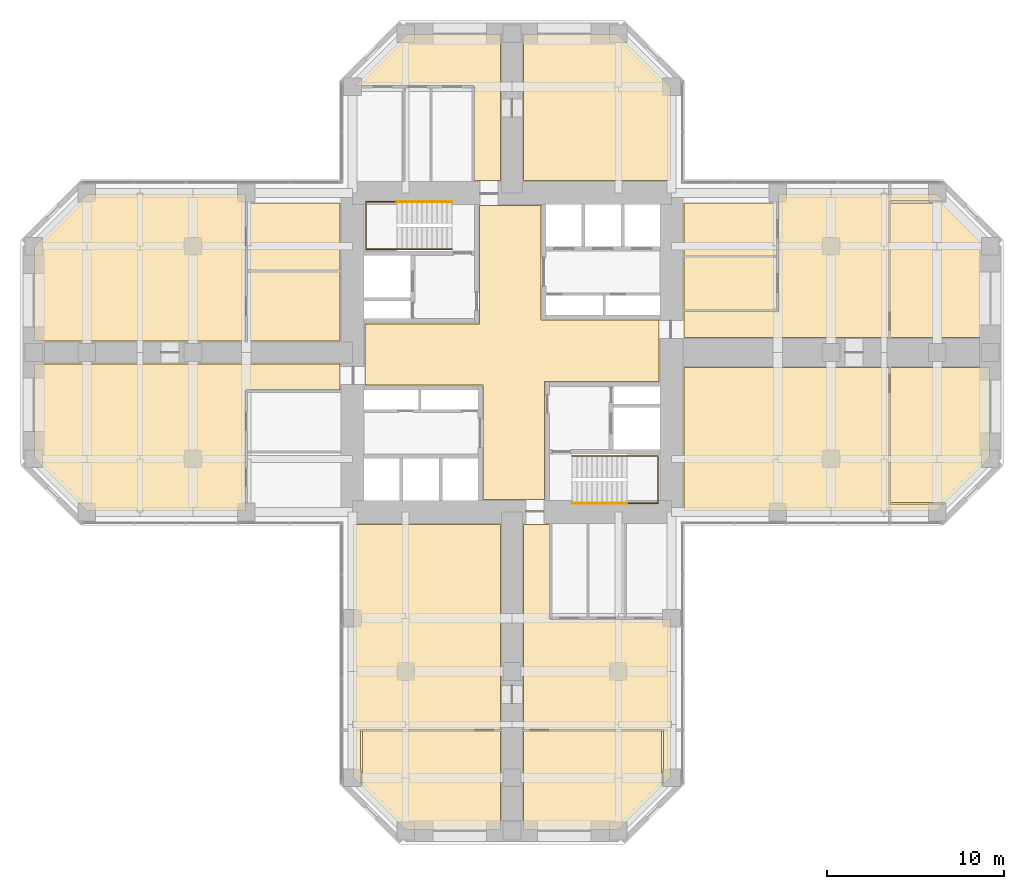
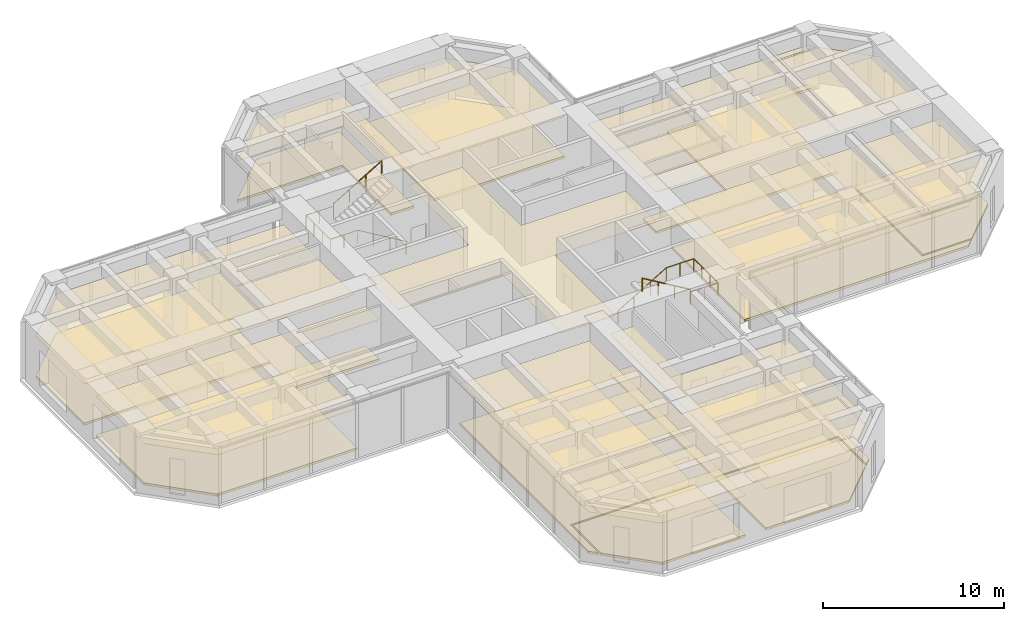
# One storey, part 12 of 12: 28 coverings, 4 railings.
"""IFC4 building model written with IfcOpenShell, lengths in metres."""

from ifc_helpers import new_model, si_unit, direction, frame, origin, origin_2d, place, context, subcontext, project, spatial, polyline, circle, outline, extrude, material, layer, layer_set, constituent, constituent_set, type_object, element, save


model = new_model("IFC4")

# Units and contexts
model_context = context("Model", 3, precision=1e-05, world=origin(), true_north=direction((0.0, 1.0)))
body_context = subcontext(model_context, "Body", "Model", "MODEL_VIEW")
ifc_project = project(units=[si_unit("LENGTHUNIT", "METRE"), si_unit("AREAUNIT", "SQUARE_METRE"), si_unit("VOLUMEUNIT", "CUBIC_METRE"), si_unit("PLANEANGLEUNIT", "RADIAN"), si_unit("MASSUNIT", "GRAM", prefix="KILO")], contexts=[model_context])

# Site, building, storey
site_placement = place(None, origin())
site = spatial("IfcSite", under=ifc_project, at=site_placement, CompositionType="ELEMENT")
building_placement = place(site_placement, origin())
building = spatial("IfcBuilding", under=site, at=building_placement, Name="Torre Cruceta", CompositionType="ELEMENT")
storey_placement = place(building_placement, frame((0.0, 0.0, 144.5)))
storey = spatial("IfcBuildingStorey", under=building, at=storey_placement, Name="L35", CompositionType="ELEMENT", Elevation=144.5)

# Railings
ifc_material_1 = material(Name="Stainless steel 1.4401", Category="steel")
railing_type = type_object("IfcRailingType", Name="HANDRAIL 900", PredefinedType="HANDRAIL", material=ifc_material_1)
railing_1_placement = place(storey_placement, frame((-3.39990234375, 5.8349609375, 0.166748046875)))
element("IfcRailing", 1, at=railing_1_placement, inside=storey, type_object=railing_type, Name="Handrail HR1 ST1 L35", PredefinedType="HANDRAIL", context=body_context, shape_type="SweptSolid", body=[
    extrude(circle(Radius=0.02392578125, at=origin_2d()), frame((0.0, 0.0, 0.8759765625), z_axis=(-0.859308565015, 0.0, 0.511457515432), x_axis=(0.0, -1.0, 0.0)), (0.0, 0.0, 1.0), 3.58447265625),
    extrude(circle(Radius=0.02392578125, at=origin_2d()), frame((-3.080078125, 0.0, 2.708984375), z_axis=(-1.0, 0.0, 0.0), x_axis=(0.0, -1.0, 0.0)), (0.0, 0.0, 1.0), 1.760009765625),
    extrude(circle(Radius=0.02392578125, at=origin_2d()), frame((-4.840087890625, 0.0, 2.708984375), z_axis=(0.0, 1.0, 0.0), x_axis=(-1.0, 0.0, 0.0)), (0.0, 0.0, 1.0), 2.679931640625),
    extrude(circle(Radius=0.02392578125, at=origin_2d()), frame((-4.840087890625, 2.679931640625, 2.708984375), z_axis=(1.0, 0.0, 0.0), x_axis=(0.0, 1.0, 0.0)), (0.0, 0.0, 1.0), 1.760009765625),
    extrude(circle(Radius=0.02099609375, at=origin_2d()), origin(), (0.0, 0.0, 1.0), 0.851806640625),
    extrude(circle(Radius=0.02099609375, at=origin_2d()), frame((-1.026611328125, 0.0, 0.611083984375)), (0.0, 0.0, 1.0), 0.851806640625),
    extrude(circle(Radius=0.02099609375, at=origin_2d()), frame((-2.053466796875, 0.0, 1.22216796875)), (0.0, 0.0, 1.0), 0.851806640625),
    extrude(circle(Radius=0.02099609375, at=origin_2d()), frame((-3.080078125, 0.0, 1.833251953125)), (0.0, 0.0, 1.0), 0.851806640625),
    extrude(circle(Radius=0.02099609375, at=origin_2d()), frame((-3.9599609375, 0.0, 1.833251953125)), (0.0, 0.0, 1.0), 0.851806640625),
    extrude(circle(Radius=0.02099609375, at=origin_2d()), frame((-4.840087890625, 0.0, 1.833251953125)), (0.0, 0.0, 1.0), 0.851806640625),
    extrude(circle(Radius=0.02099609375, at=origin_2d()), frame((-4.840087890625, 0.893310546875, 1.833251953125)), (0.0, 0.0, 1.0), 0.851806640625),
    extrude(circle(Radius=0.02099609375, at=origin_2d()), frame((-4.840087890625, 1.78662109375, 1.833251953125)), (0.0, 0.0, 1.0), 0.851806640625),
    extrude(circle(Radius=0.02099609375, at=origin_2d()), frame((-4.840087890625, 2.679931640625, 1.833251953125)), (0.0, 0.0, 1.0), 0.851806640625),
    extrude(circle(Radius=0.02099609375, at=origin_2d()), frame((-3.9599609375, 2.679931640625, 1.833251953125)), (0.0, 0.0, 1.0), 0.851806640625),
    extrude(circle(Radius=0.02099609375, at=origin_2d()), frame((-3.080078125, 2.679931640625, 1.833251953125)), (0.0, 0.0, 1.0), 0.851806640625),
])
railing_2_placement = place(storey_placement, frame((-6.47998046875, 8.514892578125, 2.166748046875)))
element("IfcRailing", 2, at=railing_2_placement, inside=storey, type_object=railing_type, Name="Handrail HR1 ST1 L35", PredefinedType="HANDRAIL", context=body_context, shape_type="SweptSolid", body=[
    extrude(circle(Radius=0.02392578125, at=origin_2d()), frame((0.0, 0.0, 0.8759765625), z_axis=(0.859308565015, 0.0, 0.511457515432), x_axis=(0.0, 1.0, 0.0)), (0.0, 0.0, 1.0), 3.58447265625),
    extrude(circle(Radius=0.02099609375, at=origin_2d()), origin(), (0.0, 0.0, 1.0), 0.851806640625),
    extrude(circle(Radius=0.02099609375, at=origin_2d()), frame((1.026611328125, 0.0, 0.611083984375)), (0.0, 0.0, 1.0), 0.851806640625),
    extrude(circle(Radius=0.02099609375, at=origin_2d()), frame((2.053466796875, 0.0, 1.22216796875)), (0.0, 0.0, 1.0), 0.851806640625),
    extrude(circle(Radius=0.02099609375, at=origin_2d()), frame((3.080078125, 0.0, 1.833251953125)), (0.0, 0.0, 1.0), 0.851806640625),
])
railing_3_placement = place(storey_placement, frame((3.39990234375, -5.8349609375, 0.166748046875)))
element("IfcRailing", 3, at=railing_3_placement, inside=storey, type_object=railing_type, Name="Handrail HR1 ST2 L35", PredefinedType="HANDRAIL", context=body_context, shape_type="SweptSolid", body=[
    extrude(circle(Radius=0.02392578125, at=origin_2d()), frame((0.0, 0.0, 0.8759765625), z_axis=(0.859308565015, 0.0, 0.511457515432), x_axis=(0.0, 1.0, 0.0)), (0.0, 0.0, 1.0), 3.58447265625),
    extrude(circle(Radius=0.02392578125, at=origin_2d()), frame((3.080078125, 0.0, 2.708984375), z_axis=(1.0, 0.0, 0.0), x_axis=(0.0, 1.0, 0.0)), (0.0, 0.0, 1.0), 1.760009765625),
    extrude(circle(Radius=0.02392578125, at=origin_2d()), frame((4.840087890625, 0.0, 2.708984375), z_axis=(0.0, -1.0, 0.0), x_axis=(1.0, 0.0, 0.0)), (0.0, 0.0, 1.0), 2.679931640625),
    extrude(circle(Radius=0.02392578125, at=origin_2d()), frame((4.840087890625, -2.679931640625, 2.708984375), z_axis=(-1.0, 0.0, 0.0), x_axis=(0.0, -1.0, 0.0)), (0.0, 0.0, 1.0), 1.760009765625),
    extrude(circle(Radius=0.02099609375, at=origin_2d()), origin(), (0.0, 0.0, 1.0), 0.851806640625),
    extrude(circle(Radius=0.02099609375, at=origin_2d()), frame((1.026611328125, 0.0, 0.611083984375)), (0.0, 0.0, 1.0), 0.851806640625),
    extrude(circle(Radius=0.02099609375, at=origin_2d()), frame((2.053466796875, 0.0, 1.22216796875)), (0.0, 0.0, 1.0), 0.851806640625),
    extrude(circle(Radius=0.02099609375, at=origin_2d()), frame((3.080078125, 0.0, 1.833251953125)), (0.0, 0.0, 1.0), 0.851806640625),
    extrude(circle(Radius=0.02099609375, at=origin_2d()), frame((3.9599609375, 0.0, 1.833251953125)), (0.0, 0.0, 1.0), 0.851806640625),
    extrude(circle(Radius=0.02099609375, at=origin_2d()), frame((4.840087890625, 0.0, 1.833251953125)), (0.0, 0.0, 1.0), 0.851806640625),
    extrude(circle(Radius=0.02099609375, at=origin_2d()), frame((4.840087890625, -0.893310546875, 1.833251953125)), (0.0, 0.0, 1.0), 0.851806640625),
    extrude(circle(Radius=0.02099609375, at=origin_2d()), frame((4.840087890625, -1.78662109375, 1.833251953125)), (0.0, 0.0, 1.0), 0.851806640625),
    extrude(circle(Radius=0.02099609375, at=origin_2d()), frame((4.840087890625, -2.679931640625, 1.833251953125)), (0.0, 0.0, 1.0), 0.851806640625),
    extrude(circle(Radius=0.02099609375, at=origin_2d()), frame((3.9599609375, -2.679931640625, 1.833251953125)), (0.0, 0.0, 1.0), 0.851806640625),
    extrude(circle(Radius=0.02099609375, at=origin_2d()), frame((3.080078125, -2.679931640625, 1.833251953125)), (0.0, 0.0, 1.0), 0.851806640625),
])
railing_4_placement = place(storey_placement, frame((6.47998046875, -8.514892578125, 2.166748046875)))
element("IfcRailing", 4, at=railing_4_placement, inside=storey, type_object=railing_type, Name="Handrail HR1 ST2 L35", PredefinedType="HANDRAIL", context=body_context, shape_type="SweptSolid", body=[
    extrude(circle(Radius=0.02392578125, at=origin_2d()), frame((0.0, 0.0, 0.8759765625), z_axis=(-0.859308565015, 0.0, 0.511457515432), x_axis=(0.0, -1.0, 0.0)), (0.0, 0.0, 1.0), 3.58447265625),
    extrude(circle(Radius=0.02099609375, at=origin_2d()), origin(), (0.0, 0.0, 1.0), 0.851806640625),
    extrude(circle(Radius=0.02099609375, at=origin_2d()), frame((-1.026611328125, 0.0, 0.611083984375)), (0.0, 0.0, 1.0), 0.851806640625),
    extrude(circle(Radius=0.02099609375, at=origin_2d()), frame((-2.053466796875, 0.0, 1.22216796875)), (0.0, 0.0, 1.0), 0.851806640625),
    extrude(circle(Radius=0.02099609375, at=origin_2d()), frame((-3.080078125, 0.0, 1.833251953125)), (0.0, 0.0, 1.0), 0.851806640625),
])

# Coverings
ifc_material_2 = material(Name="Steel DX51D", Category="steel")
ifc_constituent_1 = constituent(ifc_material_2, Name="Panel casing")
ifc_material_3 = material(Name="Calcium sulphate", Category="gypsum")
ifc_constituent_2 = constituent(ifc_material_3, Name="Panel core")
ifc_constituent_set = constituent_set(constituents=[ifc_constituent_1, ifc_constituent_2], Name="Raised access floor panel")
covering_type_1 = type_object("IfcCoveringType", Name="RAISED ACCESS FLOOR 150", PredefinedType="FLOORING", material=ifc_constituent_set)
covering_1_placement = place(storey_placement, origin())
element("IfcCovering", 5, at=covering_1_placement, inside=storey, type_object=covering_type_1, Name="Raised floor L35-025", PredefinedType="FLOORING", context=body_context, shape_type="SweptSolid", body=[
    extrude(outline(polyline([(-0.64990234375, 17.949951171875), (-0.64990234375, 9.699951171875), (-2.125, 9.699951171875), (-2.125, 15.050048828125), (-8.87939453125, 15.050048828125), (-5.979248046875, 17.949951171875), (-0.64990234375, 17.949951171875)])), origin(), (0.0, 0.0, 1.0), 0.14990234375),
])
covering_2_placement = place(storey_placement, origin())
element("IfcCovering", 6, at=covering_2_placement, inside=storey, type_object=covering_type_1, Name="Raised floor L35-026", PredefinedType="FLOORING", context=body_context, shape_type="SweptSolid", body=[
    extrude(outline(polyline([(5.979248046875, 17.949951171875), (8.949951171875, 14.979248046875), (8.949951171875, 9.699951171875), (0.64990234375, 9.699951171875), (0.64990234375, 17.949951171875), (5.979248046875, 17.949951171875)])), origin(), (0.0, 0.0, 1.0), 0.14990234375),
])
covering_3_placement = place(storey_placement, origin())
element("IfcCovering", 7, at=covering_3_placement, inside=storey, type_object=covering_type_1, Name="Raised floor L35-030", PredefinedType="FLOORING", context=body_context, shape_type="SweptSolid", body=[
    extrude(outline(polyline([(24.479248046875, -8.449951171875), (21.3701171875, -8.449951171875), (21.3701171875, -0.85009765625), (26.949951171875, -0.85009765625), (26.949951171875, -5.979248046875), (24.479248046875, -8.449951171875)])), origin(), (0.0, 0.0, 1.0), 0.14990234375),
])
covering_4_placement = place(storey_placement, origin())
element("IfcCovering", 8, at=covering_4_placement, inside=storey, type_object=covering_type_1, Name="Raised floor L35-031", PredefinedType="FLOORING", context=body_context, shape_type="SweptSolid", body=[
    extrude(outline(polyline([(21.27001953125, 0.85009765625), (9.699951171875, 0.85009765625), (9.699951171875, 2.324951171875), (15.050048828125, 2.324951171875), (15.050048828125, 8.949951171875), (23.979248046875, 8.949951171875), (24.37939453125, 8.550048828125), (21.27001953125, 8.550048828125), (21.27001953125, 0.85009765625)])), origin(), (0.0, 0.0, 1.0), 0.14990234375),
])
covering_5_placement = place(storey_placement, origin())
element("IfcCovering", 9, at=covering_5_placement, inside=storey, type_object=covering_type_1, Name="Raised floor L35-032", PredefinedType="FLOORING", context=body_context, shape_type="SweptSolid", body=[
    extrude(outline(polyline([(21.27001953125, -8.550048828125), (24.37939453125, -8.550048828125), (23.979248046875, -8.949951171875), (9.699951171875, -8.949951171875), (9.699951171875, -0.85009765625), (21.27001953125, -0.85009765625), (21.27001953125, -8.550048828125)])), origin(), (0.0, 0.0, 1.0), 0.14990234375),
])
covering_6_placement = place(storey_placement, origin())
element("IfcCovering", 10, at=covering_6_placement, inside=storey, type_object=covering_type_1, Name="Raised floor L35-036", PredefinedType="FLOORING", context=body_context, shape_type="SweptSolid", body=[
    extrude(outline(polyline([(0.64990234375, -26.949951171875), (0.64990234375, -21.3701171875), (8.449951171875, -21.3701171875), (8.449951171875, -24.479248046875), (5.979248046875, -26.949951171875), (0.64990234375, -26.949951171875)])), origin(), (0.0, 0.0, 1.0), 0.14990234375),
])
covering_7_placement = place(storey_placement, origin())
element("IfcCovering", 11, at=covering_7_placement, inside=storey, type_object=covering_type_1, Name="Raised floor L35-037", PredefinedType="FLOORING", context=body_context, shape_type="SweptSolid", body=[
    extrude(outline(polyline([(-8.449951171875, -24.479248046875), (-8.449951171875, -21.3701171875), (-0.64990234375, -21.3701171875), (-0.64990234375, -26.949951171875), (-5.979248046875, -26.949951171875), (-8.449951171875, -24.479248046875)])), origin(), (0.0, 0.0, 1.0), 0.14990234375),
])
covering_8_placement = place(storey_placement, origin())
element("IfcCovering", 12, at=covering_8_placement, inside=storey, type_object=covering_type_1, Name="Raised floor L35-038", PredefinedType="FLOORING", context=body_context, shape_type="SweptSolid", body=[
    extrude(outline(polyline([(0.64990234375, -21.27001953125), (0.64990234375, -9.699951171875), (2.125, -9.699951171875), (2.125, -15.050048828125), (8.949951171875, -15.050048828125), (8.949951171875, -23.979248046875), (8.550048828125, -24.37939453125), (8.550048828125, -21.27001953125), (0.64990234375, -21.27001953125)])), origin(), (0.0, 0.0, 1.0), 0.14990234375),
])
covering_9_placement = place(storey_placement, origin())
element("IfcCovering", 13, at=covering_9_placement, inside=storey, type_object=covering_type_1, Name="Raised floor L35-039", PredefinedType="FLOORING", context=body_context, shape_type="SweptSolid", body=[
    extrude(outline(polyline([(-8.550048828125, -21.27001953125), (-8.550048828125, -24.37939453125), (-8.949951171875, -23.979248046875), (-8.949951171875, -9.699951171875), (-0.64990234375, -9.699951171875), (-0.64990234375, -21.27001953125), (-8.550048828125, -21.27001953125)])), origin(), (0.0, 0.0, 1.0), 0.14990234375),
])
covering_10_placement = place(storey_placement, origin())
element("IfcCovering", 14, at=covering_10_placement, inside=storey, type_object=covering_type_1, Name="Raised floor L35-044", PredefinedType="FLOORING", context=body_context, shape_type="SweptSolid", body=[
    extrude(outline(polyline([(-26.949951171875, -0.64990234375), (-9.699951171875, -0.64990234375), (-9.699951171875, -2.125), (-15.050048828125, -2.125), (-15.050048828125, -8.949951171875), (-23.979248046875, -8.949951171875), (-26.949951171875, -5.979248046875), (-26.949951171875, -0.64990234375)])), origin(), (0.0, 0.0, 1.0), 0.14990234375),
])
covering_11_placement = place(storey_placement, origin())
element("IfcCovering", 15, at=covering_11_placement, inside=storey, type_object=covering_type_1, Name="Raised floor L35-045", PredefinedType="FLOORING", context=body_context, shape_type="SweptSolid", body=[
    extrude(outline(polyline([(-26.949951171875, 5.979248046875), (-23.979248046875, 8.949951171875), (-15.050048828125, 8.949951171875), (-15.050048828125, 0.64990234375), (-26.949951171875, 0.64990234375), (-26.949951171875, 5.979248046875)])), origin(), (0.0, 0.0, 1.0), 0.14990234375),
])
ifc_material_4 = material(Name="Mineral fibre ceiling tile", Category="gypsum")
ifc_layer = layer(ifc_material_4, 0.02001953125)
ifc_layer_set = layer_set([ifc_layer], Name="Mineral fibre ceiling tile")
covering_type_2 = type_object("IfcCoveringType", Name="SUSPENDED CEILING 20", PredefinedType="CEILING", material=ifc_layer_set)
covering_12_placement = place(storey_placement, frame((0.0, 0.0, 2.780029296875)))
element("IfcCovering", 16, at=covering_12_placement, inside=storey, type_object=covering_type_2, Name="Ceiling L35-001", PredefinedType="CEILING", context=body_context, shape_type="SweptSolid", body=[
    extrude(outline(polyline([(-1.625, -8.300048828125), (-1.625, -1.824951171875), (-8.300048828125, -1.824951171875), (-8.300048828125, 1.625), (-1.824951171875, 1.625), (-1.824951171875, 8.300048828125), (1.625, 8.300048828125), (1.625, 1.824951171875), (8.300048828125, 1.824951171875), (8.300048828125, -1.625), (1.824951171875, -1.625), (1.824951171875, -8.300048828125), (-1.625, -8.300048828125)])), origin(), (0.0, 0.0, 1.0), 0.02001953125),
])
covering_13_placement = place(storey_placement, frame((0.0, 0.0, 2.780029296875)))
element("IfcCovering", 17, at=covering_13_placement, inside=storey, type_object=covering_type_2, Name="Ceiling L35-025", PredefinedType="CEILING", context=body_context, shape_type="SweptSolid", body=[
    extrude(outline(polyline([(-0.64990234375, 17.949951171875), (-0.64990234375, 9.699951171875), (-2.125, 9.699951171875), (-2.125, 15.050048828125), (-8.87939453125, 15.050048828125), (-5.979248046875, 17.949951171875), (-0.64990234375, 17.949951171875)])), origin(), (0.0, 0.0, 1.0), 0.02001953125),
])
covering_14_placement = place(storey_placement, frame((0.0, 0.0, 2.780029296875)))
element("IfcCovering", 18, at=covering_14_placement, inside=storey, type_object=covering_type_2, Name="Ceiling L35-026", PredefinedType="CEILING", context=body_context, shape_type="SweptSolid", body=[
    extrude(outline(polyline([(5.979248046875, 17.949951171875), (8.949951171875, 14.979248046875), (8.949951171875, 9.699951171875), (0.64990234375, 9.699951171875), (0.64990234375, 17.949951171875), (5.979248046875, 17.949951171875)])), origin(), (0.0, 0.0, 1.0), 0.02001953125),
])
covering_15_placement = place(storey_placement, frame((0.0, 0.0, 2.780029296875)))
element("IfcCovering", 19, at=covering_15_placement, inside=storey, type_object=covering_type_2, Name="Ceiling L35-027", PredefinedType="CEILING", context=body_context, shape_type="SweptSolid", body=[
    extrude(outline(polyline([(9.699951171875, 2.425048828125), (9.699951171875, 5.387451171875), (14.949951171875, 5.387451171875), (14.949951171875, 2.425048828125), (9.699951171875, 2.425048828125)])), origin(), (0.0, 0.0, 1.0), 0.02001953125),
])
covering_16_placement = place(storey_placement, frame((0.0, 0.0, 2.780029296875)))
element("IfcCovering", 20, at=covering_16_placement, inside=storey, type_object=covering_type_2, Name="Ceiling L35-028", PredefinedType="CEILING", context=body_context, shape_type="SweptSolid", body=[
    extrude(outline(polyline([(9.699951171875, 5.487548828125), (9.699951171875, 8.449951171875), (14.949951171875, 8.449951171875), (14.949951171875, 5.487548828125), (9.699951171875, 5.487548828125)])), origin(), (0.0, 0.0, 1.0), 0.02001953125),
])
covering_17_placement = place(storey_placement, frame((0.0, 0.0, 2.780029296875)))
element("IfcCovering", 21, at=covering_17_placement, inside=storey, type_object=covering_type_2, Name="Ceiling L35-029", PredefinedType="CEILING", context=body_context, shape_type="SweptSolid", body=[
    extrude(outline(polyline([(26.949951171875, 0.85009765625), (21.3701171875, 0.85009765625), (21.3701171875, 8.449951171875), (24.479248046875, 8.449951171875), (26.949951171875, 5.979248046875), (26.949951171875, 0.85009765625)])), origin(), (0.0, 0.0, 1.0), 0.02001953125),
])
covering_18_placement = place(storey_placement, frame((0.0, 0.0, 2.780029296875)))
element("IfcCovering", 22, at=covering_18_placement, inside=storey, type_object=covering_type_2, Name="Ceiling L35-030", PredefinedType="CEILING", context=body_context, shape_type="SweptSolid", body=[
    extrude(outline(polyline([(24.479248046875, -8.449951171875), (21.3701171875, -8.449951171875), (21.3701171875, -0.85009765625), (26.949951171875, -0.85009765625), (26.949951171875, -5.979248046875), (24.479248046875, -8.449951171875)])), origin(), (0.0, 0.0, 1.0), 0.02001953125),
])
covering_19_placement = place(storey_placement, frame((0.0, 0.0, 2.780029296875)))
element("IfcCovering", 23, at=covering_19_placement, inside=storey, type_object=covering_type_2, Name="Ceiling L35-031", PredefinedType="CEILING", context=body_context, shape_type="SweptSolid", body=[
    extrude(outline(polyline([(21.27001953125, 0.85009765625), (9.699951171875, 0.85009765625), (9.699951171875, 2.324951171875), (15.050048828125, 2.324951171875), (15.050048828125, 8.949951171875), (23.979248046875, 8.949951171875), (24.37939453125, 8.550048828125), (21.27001953125, 8.550048828125), (21.27001953125, 0.85009765625)])), origin(), (0.0, 0.0, 1.0), 0.02001953125),
])
covering_20_placement = place(storey_placement, frame((0.0, 0.0, 2.780029296875)))
element("IfcCovering", 24, at=covering_20_placement, inside=storey, type_object=covering_type_2, Name="Ceiling L35-032", PredefinedType="CEILING", context=body_context, shape_type="SweptSolid", body=[
    extrude(outline(polyline([(21.27001953125, -8.550048828125), (24.37939453125, -8.550048828125), (23.979248046875, -8.949951171875), (9.699951171875, -8.949951171875), (9.699951171875, -0.85009765625), (21.27001953125, -0.85009765625), (21.27001953125, -8.550048828125)])), origin(), (0.0, 0.0, 1.0), 0.02001953125),
])
covering_21_placement = place(storey_placement, frame((0.0, 0.0, 2.780029296875)))
element("IfcCovering", 25, at=covering_21_placement, inside=storey, type_object=covering_type_2, Name="Ceiling L35-036", PredefinedType="CEILING", context=body_context, shape_type="SweptSolid", body=[
    extrude(outline(polyline([(0.64990234375, -26.949951171875), (0.64990234375, -21.3701171875), (8.449951171875, -21.3701171875), (8.449951171875, -24.479248046875), (5.979248046875, -26.949951171875), (0.64990234375, -26.949951171875)])), origin(), (0.0, 0.0, 1.0), 0.02001953125),
])
covering_22_placement = place(storey_placement, frame((0.0, 0.0, 2.780029296875)))
element("IfcCovering", 26, at=covering_22_placement, inside=storey, type_object=covering_type_2, Name="Ceiling L35-037", PredefinedType="CEILING", context=body_context, shape_type="SweptSolid", body=[
    extrude(outline(polyline([(-8.449951171875, -24.479248046875), (-8.449951171875, -21.3701171875), (-0.64990234375, -21.3701171875), (-0.64990234375, -26.949951171875), (-5.979248046875, -26.949951171875), (-8.449951171875, -24.479248046875)])), origin(), (0.0, 0.0, 1.0), 0.02001953125),
])
covering_23_placement = place(storey_placement, frame((0.0, 0.0, 2.780029296875)))
element("IfcCovering", 27, at=covering_23_placement, inside=storey, type_object=covering_type_2, Name="Ceiling L35-038", PredefinedType="CEILING", context=body_context, shape_type="SweptSolid", body=[
    extrude(outline(polyline([(0.64990234375, -21.27001953125), (0.64990234375, -9.699951171875), (2.125, -9.699951171875), (2.125, -15.050048828125), (8.949951171875, -15.050048828125), (8.949951171875, -23.979248046875), (8.550048828125, -24.37939453125), (8.550048828125, -21.27001953125), (0.64990234375, -21.27001953125)])), origin(), (0.0, 0.0, 1.0), 0.02001953125),
])
covering_24_placement = place(storey_placement, frame((0.0, 0.0, 2.780029296875)))
element("IfcCovering", 28, at=covering_24_placement, inside=storey, type_object=covering_type_2, Name="Ceiling L35-039", PredefinedType="CEILING", context=body_context, shape_type="SweptSolid", body=[
    extrude(outline(polyline([(-8.550048828125, -21.27001953125), (-8.550048828125, -24.37939453125), (-8.949951171875, -23.979248046875), (-8.949951171875, -9.699951171875), (-0.64990234375, -9.699951171875), (-0.64990234375, -21.27001953125), (-8.550048828125, -21.27001953125)])), origin(), (0.0, 0.0, 1.0), 0.02001953125),
])
covering_25_placement = place(storey_placement, frame((0.0, 0.0, 2.780029296875)))
element("IfcCovering", 29, at=covering_25_placement, inside=storey, type_object=covering_type_2, Name="Ceiling L35-042", PredefinedType="CEILING", context=body_context, shape_type="SweptSolid", body=[
    extrude(outline(polyline([(-9.699951171875, 4.550048828125), (-9.699951171875, 0.64990234375), (-14.949951171875, 0.64990234375), (-14.949951171875, 4.550048828125), (-9.699951171875, 4.550048828125)])), origin(), (0.0, 0.0, 1.0), 0.02001953125),
])
covering_26_placement = place(storey_placement, frame((0.0, 0.0, 2.780029296875)))
element("IfcCovering", 30, at=covering_26_placement, inside=storey, type_object=covering_type_2, Name="Ceiling L35-043", PredefinedType="CEILING", context=body_context, shape_type="SweptSolid", body=[
    extrude(outline(polyline([(-9.699951171875, 8.449951171875), (-9.699951171875, 4.64990234375), (-14.949951171875, 4.64990234375), (-14.949951171875, 8.449951171875), (-9.699951171875, 8.449951171875)])), origin(), (0.0, 0.0, 1.0), 0.02001953125),
])
covering_27_placement = place(storey_placement, frame((0.0, 0.0, 2.780029296875)))
element("IfcCovering", 31, at=covering_27_placement, inside=storey, type_object=covering_type_2, Name="Ceiling L35-044", PredefinedType="CEILING", context=body_context, shape_type="SweptSolid", body=[
    extrude(outline(polyline([(-26.949951171875, -0.64990234375), (-9.699951171875, -0.64990234375), (-9.699951171875, -2.125), (-15.050048828125, -2.125), (-15.050048828125, -8.949951171875), (-23.979248046875, -8.949951171875), (-26.949951171875, -5.979248046875), (-26.949951171875, -0.64990234375)])), origin(), (0.0, 0.0, 1.0), 0.02001953125),
])
covering_28_placement = place(storey_placement, frame((0.0, 0.0, 2.780029296875)))
element("IfcCovering", 32, at=covering_28_placement, inside=storey, type_object=covering_type_2, Name="Ceiling L35-045", PredefinedType="CEILING", context=body_context, shape_type="SweptSolid", body=[
    extrude(outline(polyline([(-26.949951171875, 5.979248046875), (-23.979248046875, 8.949951171875), (-15.050048828125, 8.949951171875), (-15.050048828125, 0.64990234375), (-26.949951171875, 0.64990234375), (-26.949951171875, 5.979248046875)])), origin(), (0.0, 0.0, 1.0), 0.02001953125),
])

save(model, "model.ifc")
